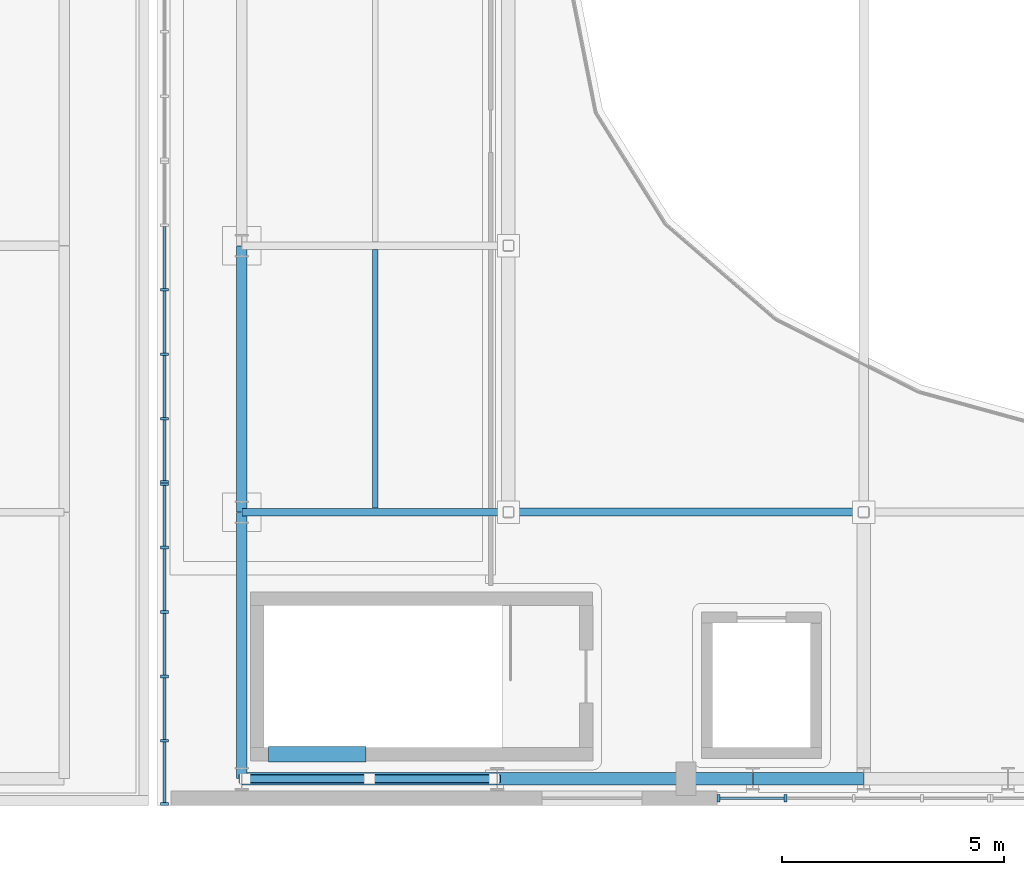
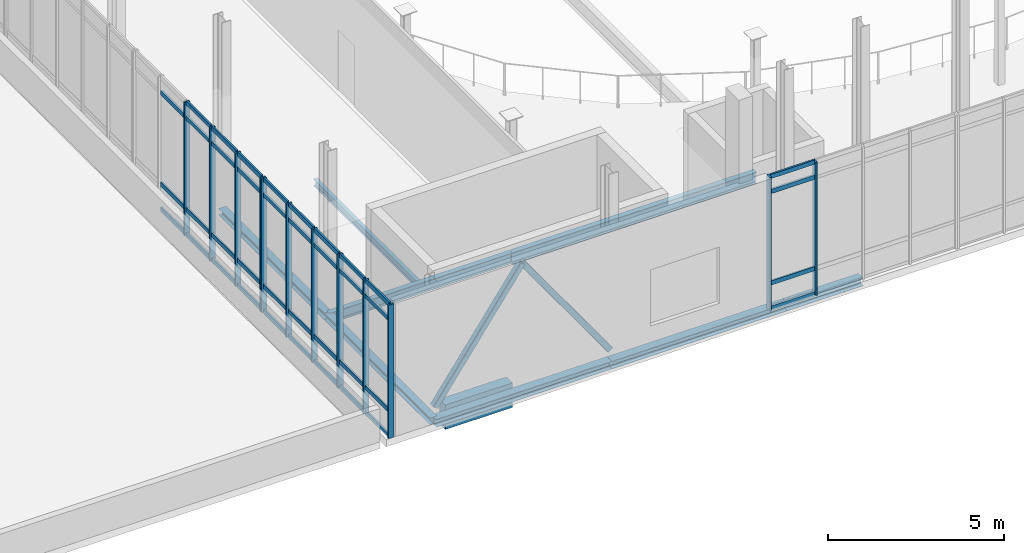
# One storey, part 13 of 86: 53 members, 9 beams, 3 elements without a shape of their own.
"""IFC4 building model written with IfcOpenShell, lengths in metres."""

from ifc_helpers import new_model, si_unit, direction, frame, origin, origin_2d, place, context, subcontext, project, spatial, rectangle, hollow_rectangle, i_section, extrude, material, material_profile, profile_set, type_object, element, aggregate, save


model = new_model("IFC4")

# Units and contexts
model_context = context("Model", 3, precision=1e-05, world=origin(), true_north=direction((0.0, 1.0)))
body_context = subcontext(model_context, "Body", "Model", "MODEL_VIEW")
ifc_project = project(units=[si_unit("LENGTHUNIT", "METRE"), si_unit("AREAUNIT", "SQUARE_METRE"), si_unit("VOLUMEUNIT", "CUBIC_METRE"), si_unit("PLANEANGLEUNIT", "RADIAN"), si_unit("MASSUNIT", "GRAM", prefix="KILO")], contexts=[model_context])

# Site, building, storey
site_placement = place(None, origin())
site = spatial("IfcSite", under=ifc_project, at=site_placement, CompositionType="ELEMENT")
building_placement = place(site_placement, origin())
building = spatial("IfcBuilding", under=site, at=building_placement, Name="Cymarion Research Institute", CompositionType="ELEMENT")
storey_placement = place(building_placement, frame((0.0, 0.0, 13.800048828125)))
storey = spatial("IfcBuildingStorey", under=building, at=storey_placement, Name="L03", CompositionType="ELEMENT", Elevation=13.800048828125)

# Beam
ifc_material_1 = material(Name="Concrete C40/50", Category="concrete")
ifc_material_profile_1 = material_profile(ifc_material_1, rectangle(XDim=0.35009765625, YDim=0.85009765625, at=origin_2d()), Name="RC 350x850")
ifc_profile_set_1 = profile_set([ifc_material_profile_1], Name="Concrete C40/50")
beam_type_1 = type_object("IfcBeamType", Name="COUPLING LINTEL LN02 RC 350x850", PredefinedType="LINTEL", material=ifc_profile_set_1)
beam_1_placement = place(storey_placement, frame((57.199951171875, 6.050048828125, -0.695068359375), z_axis=(1.0, 0.0, 0.0), x_axis=(0.0, 1.0, 0.0)))
element("IfcBeam", 1, at=beam_1_placement, inside=storey, type_object=beam_type_1, Name="L03 C3 core coupling lintel LN02", PredefinedType="LINTEL", context=body_context, shape_type="SweptSolid", body=[
    extrude(rectangle(XDim=0.35009765625, YDim=0.85009765625, at=origin_2d()), origin(), (0.0, 0.0, 1.0), 2.199951171875),
])

# Curtain wall, members
ifc_material_2 = material(Name="Anodised aluminium unitised curtain wall with Low-E glazing", Category="aluminium")
curtain_wall_type_1 = type_object("IfcCurtainWallType", Name="UNITISED CURTAIN WALL CW27 6150X4620", PredefinedType="NOTDEFINED", material=ifc_material_2)
curtain_wall_1_placement = place(storey_placement, origin())
curtain_wall_1 = element("IfcCurtainWall", 2, at=curtain_wall_1_placement, inside=storey, type_object=curtain_wall_type_1, Name="L03 V2 unitised curtain wall CW27 #131", PredefinedType="NOTDEFINED")
ifc_material_3 = material(Name="Anodised aluminium framing", Category="aluminium")
ifc_material_profile_2 = material_profile(ifc_material_3, rectangle(XDim=0.06005859375, YDim=0.179931640625, at=origin_2d()), Name="ALU MULLION 60x180")
ifc_profile_set_2 = profile_set([ifc_material_profile_2], Name="Anodised aluminium framing")
member_type_1 = type_object("IfcMemberType", Name="CURTAIN WALL MULLION ML01 60X180", PredefinedType="MULLION", material=ifc_profile_set_2)
member_1_placement = place(storey_placement, frame((67.3310546875, 5.06005859375, 0.0), z_axis=(0.0, 0.0, 1.0), x_axis=(1.0, 0.0, 0.0)))
member_1 = element("IfcMember", 3, at=member_1_placement, type_object=member_type_1, Name="CW27 mullion 1", PredefinedType="MULLION", context=body_context, shape_type="SweptSolid", body=[
    extrude(rectangle(XDim=0.06005859375, YDim=0.179931640625, at=origin_2d()), origin(), (0.0, 0.0, 1.0), 4.619873046875),
])
member_2_placement = place(storey_placement, frame((68.83837890625, 5.06005859375, 0.0), z_axis=(0.0, 0.0, 1.0), x_axis=(1.0, 0.0, 0.0)))
member_2 = element("IfcMember", 4, at=member_2_placement, type_object=member_type_1, Name="CW27 mullion 2", PredefinedType="MULLION", context=body_context, shape_type="SweptSolid", body=[
    extrude(rectangle(XDim=0.06005859375, YDim=0.179931640625, at=origin_2d()), origin(), (0.0, 0.0, 1.0), 4.619873046875),
])

curtain_wall_type_2 = type_object("IfcCurtainWallType", Name="UNITISED CURTAIN WALL CW34 7260X4620", PredefinedType="NOTDEFINED", material=ifc_material_2)
curtain_wall_2_placement = place(storey_placement, origin())
curtain_wall_2 = element("IfcCurtainWall", 5, at=curtain_wall_2_placement, inside=storey, type_object=curtain_wall_type_2, Name="L03 V2 unitised curtain wall CW34 #150", PredefinedType="NOTDEFINED")
member_3_placement = place(storey_placement, frame((54.860107421875, 16.509521484375, 0.0), z_axis=(0.0, 0.0, 1.0), x_axis=(0.0, -1.0, 0.0)))
member_3 = element("IfcMember", 6, at=member_3_placement, type_object=member_type_1, Name="CW34 mullion 3", PredefinedType="MULLION", context=body_context, shape_type="SweptSolid", body=[
    extrude(rectangle(XDim=0.06005859375, YDim=0.179931640625, at=origin_2d()), origin(), (0.0, 0.0, 1.0), 4.619873046875),
])
member_4_placement = place(storey_placement, frame((54.860107421875, 15.058349609375, 0.0), z_axis=(0.0, 0.0, 1.0), x_axis=(0.0, -1.0, 0.0)))
member_4 = element("IfcMember", 7, at=member_4_placement, type_object=member_type_1, Name="CW34 mullion 4", PredefinedType="MULLION", context=body_context, shape_type="SweptSolid", body=[
    extrude(rectangle(XDim=0.06005859375, YDim=0.179931640625, at=origin_2d()), origin(), (0.0, 0.0, 1.0), 4.619873046875),
])
member_5_placement = place(storey_placement, frame((54.860107421875, 13.607177734375, 0.0), z_axis=(0.0, 0.0, 1.0), x_axis=(0.0, -1.0, 0.0)))
member_5 = element("IfcMember", 8, at=member_5_placement, type_object=member_type_1, Name="CW34 mullion 5", PredefinedType="MULLION", context=body_context, shape_type="SweptSolid", body=[
    extrude(rectangle(XDim=0.06005859375, YDim=0.179931640625, at=origin_2d()), origin(), (0.0, 0.0, 1.0), 4.619873046875),
])
member_6_placement = place(storey_placement, frame((54.860107421875, 12.18603515625, 0.0), z_axis=(0.0, 0.0, 1.0), x_axis=(0.0, -1.0, 0.0)))
member_6 = element("IfcMember", 9, at=member_6_placement, type_object=member_type_1, Name="CW34 mullion 6", PredefinedType="MULLION", context=body_context, shape_type="SweptSolid", body=[
    extrude(rectangle(XDim=0.06005859375, YDim=0.179931640625, at=origin_2d()), origin(), (0.0, 0.0, 1.0), 4.619873046875),
])

curtain_wall_3_placement = place(storey_placement, origin())
curtain_wall_3 = element("IfcCurtainWall", 10, at=curtain_wall_3_placement, inside=storey, type_object=curtain_wall_type_2, Name="L03 V2 unitised curtain wall CW34 #151", PredefinedType="NOTDEFINED")
member_7_placement = place(storey_placement, frame((54.860107421875, 12.1259765625, 0.0), z_axis=(0.0, 0.0, 1.0), x_axis=(0.0, -1.0, 0.0)))
member_7 = element("IfcMember", 11, at=member_7_placement, type_object=member_type_1, Name="CW34 mullion 1", PredefinedType="MULLION", context=body_context, shape_type="SweptSolid", body=[
    extrude(rectangle(XDim=0.06005859375, YDim=0.179931640625, at=origin_2d()), origin(), (0.0, 0.0, 1.0), 4.619873046875),
])
member_8_placement = place(storey_placement, frame((54.860107421875, 10.704833984375, 0.0), z_axis=(0.0, 0.0, 1.0), x_axis=(0.0, -1.0, 0.0)))
member_8 = element("IfcMember", 12, at=member_8_placement, type_object=member_type_1, Name="CW34 mullion 2", PredefinedType="MULLION", context=body_context, shape_type="SweptSolid", body=[
    extrude(rectangle(XDim=0.06005859375, YDim=0.179931640625, at=origin_2d()), origin(), (0.0, 0.0, 1.0), 4.619873046875),
])
member_9_placement = place(storey_placement, frame((54.860107421875, 9.253662109375, 0.0), z_axis=(0.0, 0.0, 1.0), x_axis=(0.0, -1.0, 0.0)))
member_9 = element("IfcMember", 13, at=member_9_placement, type_object=member_type_1, Name="CW34 mullion 3", PredefinedType="MULLION", context=body_context, shape_type="SweptSolid", body=[
    extrude(rectangle(XDim=0.06005859375, YDim=0.179931640625, at=origin_2d()), origin(), (0.0, 0.0, 1.0), 4.619873046875),
])
member_10_placement = place(storey_placement, frame((54.860107421875, 7.802490234375, 0.0), z_axis=(0.0, 0.0, 1.0), x_axis=(0.0, -1.0, 0.0)))
member_10 = element("IfcMember", 14, at=member_10_placement, type_object=member_type_1, Name="CW34 mullion 4", PredefinedType="MULLION", context=body_context, shape_type="SweptSolid", body=[
    extrude(rectangle(XDim=0.06005859375, YDim=0.179931640625, at=origin_2d()), origin(), (0.0, 0.0, 1.0), 4.619873046875),
])
member_11_placement = place(storey_placement, frame((54.860107421875, 6.351318359375, 0.0), z_axis=(0.0, 0.0, 1.0), x_axis=(0.0, -1.0, 0.0)))
member_11 = element("IfcMember", 15, at=member_11_placement, type_object=member_type_1, Name="CW34 mullion 5", PredefinedType="MULLION", context=body_context, shape_type="SweptSolid", body=[
    extrude(rectangle(XDim=0.06005859375, YDim=0.179931640625, at=origin_2d()), origin(), (0.0, 0.0, 1.0), 4.619873046875),
])
member_12_placement = place(storey_placement, frame((54.860107421875, 4.929931640625, 0.0), z_axis=(0.0, 0.0, 1.0), x_axis=(0.0, -1.0, 0.0)))
member_12 = element("IfcMember", 16, at=member_12_placement, type_object=member_type_1, Name="CW34 mullion 6", PredefinedType="MULLION", context=body_context, shape_type="SweptSolid", body=[
    extrude(rectangle(XDim=0.06005859375, YDim=0.179931640625, at=origin_2d()), origin(), (0.0, 0.0, 1.0), 4.619873046875),
])

# Member
ifc_material_profile_3 = material_profile(ifc_material_3, rectangle(XDim=0.06005859375, YDim=0.14990234375, at=origin_2d()), Name="ALU TRANSOM 60x150")
ifc_profile_set_3 = profile_set([ifc_material_profile_3], Name="Anodised aluminium framing")
member_type_2 = type_object("IfcMemberType", Name="CURTAIN WALL TRANSOM TR01 60X150", PredefinedType="USERDEFINED", material=ifc_profile_set_3)
member_13_placement = place(storey_placement, frame((67.361083984375, 5.06005859375, 0.030029296875), z_axis=(1.0, 0.0, 0.0), x_axis=(0.0, 1.0, 0.0)))
member_13 = element("IfcMember", 17, at=member_13_placement, type_object=member_type_2, Name="CW27 transom 1.1", ObjectType="TRANSOM", PredefinedType="USERDEFINED", context=body_context, shape_type="SweptSolid", body=[
    extrude(rectangle(XDim=0.06005859375, YDim=0.14990234375, at=origin_2d()), origin(), (0.0, 0.0, 1.0), 1.447265625),
])

member_14_placement = place(storey_placement, frame((67.361083984375, 5.06005859375, 0.89990234375), z_axis=(1.0, 0.0, 0.0), x_axis=(0.0, 1.0, 0.0)))
member_14 = element("IfcMember", 18, at=member_14_placement, type_object=member_type_2, Name="CW27 transom 1.2", ObjectType="TRANSOM", PredefinedType="USERDEFINED", context=body_context, shape_type="SweptSolid", body=[
    extrude(rectangle(XDim=0.06005859375, YDim=0.14990234375, at=origin_2d()), origin(), (0.0, 0.0, 1.0), 1.447265625),
])

member_15_placement = place(storey_placement, frame((67.361083984375, 5.06005859375, 4.070068359375), z_axis=(1.0, 0.0, 0.0), x_axis=(0.0, 1.0, 0.0)))
member_15 = element("IfcMember", 19, at=member_15_placement, type_object=member_type_2, Name="CW27 transom 1.3", ObjectType="TRANSOM", PredefinedType="USERDEFINED", context=body_context, shape_type="SweptSolid", body=[
    extrude(rectangle(XDim=0.06005859375, YDim=0.14990234375, at=origin_2d()), origin(), (0.0, 0.0, 1.0), 1.447265625),
])

member_16_placement = place(storey_placement, frame((67.361083984375, 5.06005859375, 4.58984375), z_axis=(1.0, 0.0, 0.0), x_axis=(0.0, 1.0, 0.0)))
member_16 = element("IfcMember", 20, at=member_16_placement, type_object=member_type_2, Name="CW27 transom 1.4", ObjectType="TRANSOM", PredefinedType="USERDEFINED", context=body_context, shape_type="SweptSolid", body=[
    extrude(rectangle(XDim=0.06005859375, YDim=0.14990234375, at=origin_2d()), origin(), (0.0, 0.0, 1.0), 1.447265625),
])

aggregate(curtain_wall_1, [member_1, member_2, member_13, member_14, member_15, member_16])

member_17_placement = place(storey_placement, frame((54.860107421875, 17.930908203125, 0.030029296875), z_axis=(0.0, -1.0, 0.0), x_axis=(1.0, 0.0, 0.0)))
member_17 = element("IfcMember", 21, at=member_17_placement, type_object=member_type_2, Name="CW34 transom 2.1", ObjectType="TRANSOM", PredefinedType="USERDEFINED", context=body_context, shape_type="SweptSolid", body=[
    extrude(rectangle(XDim=0.06005859375, YDim=0.14990234375, at=origin_2d()), origin(), (0.0, 0.0, 1.0), 1.391357421875),
])

member_18_placement = place(storey_placement, frame((54.860107421875, 17.930908203125, 0.89990234375), z_axis=(0.0, -1.0, 0.0), x_axis=(1.0, 0.0, 0.0)))
member_18 = element("IfcMember", 22, at=member_18_placement, type_object=member_type_2, Name="CW34 transom 2.2", ObjectType="TRANSOM", PredefinedType="USERDEFINED", context=body_context, shape_type="SweptSolid", body=[
    extrude(rectangle(XDim=0.06005859375, YDim=0.14990234375, at=origin_2d()), origin(), (0.0, 0.0, 1.0), 1.391357421875),
])

member_19_placement = place(storey_placement, frame((54.860107421875, 17.930908203125, 4.070068359375), z_axis=(0.0, -1.0, 0.0), x_axis=(1.0, 0.0, 0.0)))
member_19 = element("IfcMember", 23, at=member_19_placement, type_object=member_type_2, Name="CW34 transom 2.3", ObjectType="TRANSOM", PredefinedType="USERDEFINED", context=body_context, shape_type="SweptSolid", body=[
    extrude(rectangle(XDim=0.06005859375, YDim=0.14990234375, at=origin_2d()), origin(), (0.0, 0.0, 1.0), 1.391357421875),
])

member_20_placement = place(storey_placement, frame((54.860107421875, 16.4794921875, 0.030029296875), z_axis=(0.0, -1.0, 0.0), x_axis=(1.0, 0.0, 0.0)))
member_20 = element("IfcMember", 24, at=member_20_placement, type_object=member_type_2, Name="CW34 transom 3.1", ObjectType="TRANSOM", PredefinedType="USERDEFINED", context=body_context, shape_type="SweptSolid", body=[
    extrude(rectangle(XDim=0.06005859375, YDim=0.14990234375, at=origin_2d()), origin(), (0.0, 0.0, 1.0), 1.39111328125),
])

member_21_placement = place(storey_placement, frame((54.860107421875, 16.4794921875, 0.89990234375), z_axis=(0.0, -1.0, 0.0), x_axis=(1.0, 0.0, 0.0)))
member_21 = element("IfcMember", 25, at=member_21_placement, type_object=member_type_2, Name="CW34 transom 3.2", ObjectType="TRANSOM", PredefinedType="USERDEFINED", context=body_context, shape_type="SweptSolid", body=[
    extrude(rectangle(XDim=0.06005859375, YDim=0.14990234375, at=origin_2d()), origin(), (0.0, 0.0, 1.0), 1.39111328125),
])

member_22_placement = place(storey_placement, frame((54.860107421875, 16.4794921875, 4.070068359375), z_axis=(0.0, -1.0, 0.0), x_axis=(1.0, 0.0, 0.0)))
member_22 = element("IfcMember", 26, at=member_22_placement, type_object=member_type_2, Name="CW34 transom 3.3", ObjectType="TRANSOM", PredefinedType="USERDEFINED", context=body_context, shape_type="SweptSolid", body=[
    extrude(rectangle(XDim=0.06005859375, YDim=0.14990234375, at=origin_2d()), origin(), (0.0, 0.0, 1.0), 1.39111328125),
])

member_23_placement = place(storey_placement, frame((54.860107421875, 16.4794921875, 4.58984375), z_axis=(0.0, -1.0, 0.0), x_axis=(1.0, 0.0, 0.0)))
member_23 = element("IfcMember", 27, at=member_23_placement, type_object=member_type_2, Name="CW34 transom 3.4", ObjectType="TRANSOM", PredefinedType="USERDEFINED", context=body_context, shape_type="SweptSolid", body=[
    extrude(rectangle(XDim=0.06005859375, YDim=0.14990234375, at=origin_2d()), origin(), (0.0, 0.0, 1.0), 1.39111328125),
])

member_24_placement = place(storey_placement, frame((54.860107421875, 15.0283203125, 0.030029296875), z_axis=(0.0, -1.0, 0.0), x_axis=(1.0, 0.0, 0.0)))
member_24 = element("IfcMember", 28, at=member_24_placement, type_object=member_type_2, Name="CW34 transom 4.1", ObjectType="TRANSOM", PredefinedType="USERDEFINED", context=body_context, shape_type="SweptSolid", body=[
    extrude(rectangle(XDim=0.06005859375, YDim=0.14990234375, at=origin_2d()), origin(), (0.0, 0.0, 1.0), 1.39111328125),
])

member_25_placement = place(storey_placement, frame((54.860107421875, 15.0283203125, 0.89990234375), z_axis=(0.0, -1.0, 0.0), x_axis=(1.0, 0.0, 0.0)))
member_25 = element("IfcMember", 29, at=member_25_placement, type_object=member_type_2, Name="CW34 transom 4.2", ObjectType="TRANSOM", PredefinedType="USERDEFINED", context=body_context, shape_type="SweptSolid", body=[
    extrude(rectangle(XDim=0.06005859375, YDim=0.14990234375, at=origin_2d()), origin(), (0.0, 0.0, 1.0), 1.39111328125),
])

member_26_placement = place(storey_placement, frame((54.860107421875, 15.0283203125, 4.070068359375), z_axis=(0.0, -1.0, 0.0), x_axis=(1.0, 0.0, 0.0)))
member_26 = element("IfcMember", 30, at=member_26_placement, type_object=member_type_2, Name="CW34 transom 4.3", ObjectType="TRANSOM", PredefinedType="USERDEFINED", context=body_context, shape_type="SweptSolid", body=[
    extrude(rectangle(XDim=0.06005859375, YDim=0.14990234375, at=origin_2d()), origin(), (0.0, 0.0, 1.0), 1.39111328125),
])

member_27_placement = place(storey_placement, frame((54.860107421875, 15.0283203125, 4.58984375), z_axis=(0.0, -1.0, 0.0), x_axis=(1.0, 0.0, 0.0)))
member_27 = element("IfcMember", 31, at=member_27_placement, type_object=member_type_2, Name="CW34 transom 4.4", ObjectType="TRANSOM", PredefinedType="USERDEFINED", context=body_context, shape_type="SweptSolid", body=[
    extrude(rectangle(XDim=0.06005859375, YDim=0.14990234375, at=origin_2d()), origin(), (0.0, 0.0, 1.0), 1.39111328125),
])

member_28_placement = place(storey_placement, frame((54.860107421875, 13.5771484375, 0.030029296875), z_axis=(0.0, -1.0, 0.0), x_axis=(1.0, 0.0, 0.0)))
member_28 = element("IfcMember", 32, at=member_28_placement, type_object=member_type_2, Name="CW34 transom 5.1", ObjectType="TRANSOM", PredefinedType="USERDEFINED", context=body_context, shape_type="SweptSolid", body=[
    extrude(rectangle(XDim=0.06005859375, YDim=0.14990234375, at=origin_2d()), origin(), (0.0, 0.0, 1.0), 1.361083984375),
])

member_29_placement = place(storey_placement, frame((54.860107421875, 13.5771484375, 0.89990234375), z_axis=(0.0, -1.0, 0.0), x_axis=(1.0, 0.0, 0.0)))
member_29 = element("IfcMember", 33, at=member_29_placement, type_object=member_type_2, Name="CW34 transom 5.2", ObjectType="TRANSOM", PredefinedType="USERDEFINED", context=body_context, shape_type="SweptSolid", body=[
    extrude(rectangle(XDim=0.06005859375, YDim=0.14990234375, at=origin_2d()), origin(), (0.0, 0.0, 1.0), 1.361083984375),
])

member_30_placement = place(storey_placement, frame((54.860107421875, 13.5771484375, 4.070068359375), z_axis=(0.0, -1.0, 0.0), x_axis=(1.0, 0.0, 0.0)))
member_30 = element("IfcMember", 34, at=member_30_placement, type_object=member_type_2, Name="CW34 transom 5.3", ObjectType="TRANSOM", PredefinedType="USERDEFINED", context=body_context, shape_type="SweptSolid", body=[
    extrude(rectangle(XDim=0.06005859375, YDim=0.14990234375, at=origin_2d()), origin(), (0.0, 0.0, 1.0), 1.361083984375),
])

member_31_placement = place(storey_placement, frame((54.860107421875, 13.5771484375, 4.58984375), z_axis=(0.0, -1.0, 0.0), x_axis=(1.0, 0.0, 0.0)))
member_31 = element("IfcMember", 35, at=member_31_placement, type_object=member_type_2, Name="CW34 transom 5.4", ObjectType="TRANSOM", PredefinedType="USERDEFINED", context=body_context, shape_type="SweptSolid", body=[
    extrude(rectangle(XDim=0.06005859375, YDim=0.14990234375, at=origin_2d()), origin(), (0.0, 0.0, 1.0), 1.361083984375),
])

aggregate(curtain_wall_2, [member_3, member_4, member_5, member_6, member_17, member_18, member_19, member_20, member_21, member_22, member_23, member_24, member_25, member_26, member_27, member_28, member_29, member_30, member_31])

member_32_placement = place(storey_placement, frame((54.860107421875, 12.095947265625, 0.030029296875), z_axis=(0.0, -1.0, 0.0), x_axis=(1.0, 0.0, 0.0)))
member_32 = element("IfcMember", 36, at=member_32_placement, type_object=member_type_2, Name="CW34 transom 1.1", ObjectType="TRANSOM", PredefinedType="USERDEFINED", context=body_context, shape_type="SweptSolid", body=[
    extrude(rectangle(XDim=0.06005859375, YDim=0.14990234375, at=origin_2d()), origin(), (0.0, 0.0, 1.0), 1.361083984375),
])

member_33_placement = place(storey_placement, frame((54.860107421875, 12.095947265625, 0.89990234375), z_axis=(0.0, -1.0, 0.0), x_axis=(1.0, 0.0, 0.0)))
member_33 = element("IfcMember", 37, at=member_33_placement, type_object=member_type_2, Name="CW34 transom 1.2", ObjectType="TRANSOM", PredefinedType="USERDEFINED", context=body_context, shape_type="SweptSolid", body=[
    extrude(rectangle(XDim=0.06005859375, YDim=0.14990234375, at=origin_2d()), origin(), (0.0, 0.0, 1.0), 1.361083984375),
])

member_34_placement = place(storey_placement, frame((54.860107421875, 12.095947265625, 4.070068359375), z_axis=(0.0, -1.0, 0.0), x_axis=(1.0, 0.0, 0.0)))
member_34 = element("IfcMember", 38, at=member_34_placement, type_object=member_type_2, Name="CW34 transom 1.3", ObjectType="TRANSOM", PredefinedType="USERDEFINED", context=body_context, shape_type="SweptSolid", body=[
    extrude(rectangle(XDim=0.06005859375, YDim=0.14990234375, at=origin_2d()), origin(), (0.0, 0.0, 1.0), 1.361083984375),
])

member_35_placement = place(storey_placement, frame((54.860107421875, 12.095947265625, 4.58984375), z_axis=(0.0, -1.0, 0.0), x_axis=(1.0, 0.0, 0.0)))
member_35 = element("IfcMember", 39, at=member_35_placement, type_object=member_type_2, Name="CW34 transom 1.4", ObjectType="TRANSOM", PredefinedType="USERDEFINED", context=body_context, shape_type="SweptSolid", body=[
    extrude(rectangle(XDim=0.06005859375, YDim=0.14990234375, at=origin_2d()), origin(), (0.0, 0.0, 1.0), 1.361083984375),
])

member_36_placement = place(storey_placement, frame((54.860107421875, 10.6748046875, 0.030029296875), z_axis=(0.0, -1.0, 0.0), x_axis=(1.0, 0.0, 0.0)))
member_36 = element("IfcMember", 40, at=member_36_placement, type_object=member_type_2, Name="CW34 transom 2.1", ObjectType="TRANSOM", PredefinedType="USERDEFINED", context=body_context, shape_type="SweptSolid", body=[
    extrude(rectangle(XDim=0.06005859375, YDim=0.14990234375, at=origin_2d()), origin(), (0.0, 0.0, 1.0), 1.39111328125),
])

member_37_placement = place(storey_placement, frame((54.860107421875, 10.6748046875, 0.89990234375), z_axis=(0.0, -1.0, 0.0), x_axis=(1.0, 0.0, 0.0)))
member_37 = element("IfcMember", 41, at=member_37_placement, type_object=member_type_2, Name="CW34 transom 2.2", ObjectType="TRANSOM", PredefinedType="USERDEFINED", context=body_context, shape_type="SweptSolid", body=[
    extrude(rectangle(XDim=0.06005859375, YDim=0.14990234375, at=origin_2d()), origin(), (0.0, 0.0, 1.0), 1.39111328125),
])

member_38_placement = place(storey_placement, frame((54.860107421875, 10.6748046875, 4.070068359375), z_axis=(0.0, -1.0, 0.0), x_axis=(1.0, 0.0, 0.0)))
member_38 = element("IfcMember", 42, at=member_38_placement, type_object=member_type_2, Name="CW34 transom 2.3", ObjectType="TRANSOM", PredefinedType="USERDEFINED", context=body_context, shape_type="SweptSolid", body=[
    extrude(rectangle(XDim=0.06005859375, YDim=0.14990234375, at=origin_2d()), origin(), (0.0, 0.0, 1.0), 1.39111328125),
])

member_39_placement = place(storey_placement, frame((54.860107421875, 10.6748046875, 4.58984375), z_axis=(0.0, -1.0, 0.0), x_axis=(1.0, 0.0, 0.0)))
member_39 = element("IfcMember", 43, at=member_39_placement, type_object=member_type_2, Name="CW34 transom 2.4", ObjectType="TRANSOM", PredefinedType="USERDEFINED", context=body_context, shape_type="SweptSolid", body=[
    extrude(rectangle(XDim=0.06005859375, YDim=0.14990234375, at=origin_2d()), origin(), (0.0, 0.0, 1.0), 1.39111328125),
])

member_40_placement = place(storey_placement, frame((54.860107421875, 9.2236328125, 0.030029296875), z_axis=(0.0, -1.0, 0.0), x_axis=(1.0, 0.0, 0.0)))
member_40 = element("IfcMember", 44, at=member_40_placement, type_object=member_type_2, Name="CW34 transom 3.1", ObjectType="TRANSOM", PredefinedType="USERDEFINED", context=body_context, shape_type="SweptSolid", body=[
    extrude(rectangle(XDim=0.06005859375, YDim=0.14990234375, at=origin_2d()), origin(), (0.0, 0.0, 1.0), 1.39111328125),
])

member_41_placement = place(storey_placement, frame((54.860107421875, 9.2236328125, 0.89990234375), z_axis=(0.0, -1.0, 0.0), x_axis=(1.0, 0.0, 0.0)))
member_41 = element("IfcMember", 45, at=member_41_placement, type_object=member_type_2, Name="CW34 transom 3.2", ObjectType="TRANSOM", PredefinedType="USERDEFINED", context=body_context, shape_type="SweptSolid", body=[
    extrude(rectangle(XDim=0.06005859375, YDim=0.14990234375, at=origin_2d()), origin(), (0.0, 0.0, 1.0), 1.39111328125),
])

member_42_placement = place(storey_placement, frame((54.860107421875, 9.2236328125, 4.070068359375), z_axis=(0.0, -1.0, 0.0), x_axis=(1.0, 0.0, 0.0)))
member_42 = element("IfcMember", 46, at=member_42_placement, type_object=member_type_2, Name="CW34 transom 3.3", ObjectType="TRANSOM", PredefinedType="USERDEFINED", context=body_context, shape_type="SweptSolid", body=[
    extrude(rectangle(XDim=0.06005859375, YDim=0.14990234375, at=origin_2d()), origin(), (0.0, 0.0, 1.0), 1.39111328125),
])

member_43_placement = place(storey_placement, frame((54.860107421875, 9.2236328125, 4.58984375), z_axis=(0.0, -1.0, 0.0), x_axis=(1.0, 0.0, 0.0)))
member_43 = element("IfcMember", 47, at=member_43_placement, type_object=member_type_2, Name="CW34 transom 3.4", ObjectType="TRANSOM", PredefinedType="USERDEFINED", context=body_context, shape_type="SweptSolid", body=[
    extrude(rectangle(XDim=0.06005859375, YDim=0.14990234375, at=origin_2d()), origin(), (0.0, 0.0, 1.0), 1.39111328125),
])

member_44_placement = place(storey_placement, frame((54.860107421875, 7.7724609375, 0.030029296875), z_axis=(0.0, -1.0, 0.0), x_axis=(1.0, 0.0, 0.0)))
member_44 = element("IfcMember", 48, at=member_44_placement, type_object=member_type_2, Name="CW34 transom 4.1", ObjectType="TRANSOM", PredefinedType="USERDEFINED", context=body_context, shape_type="SweptSolid", body=[
    extrude(rectangle(XDim=0.06005859375, YDim=0.14990234375, at=origin_2d()), origin(), (0.0, 0.0, 1.0), 1.391357421875),
])

member_45_placement = place(storey_placement, frame((54.860107421875, 7.7724609375, 0.89990234375), z_axis=(0.0, -1.0, 0.0), x_axis=(1.0, 0.0, 0.0)))
member_45 = element("IfcMember", 49, at=member_45_placement, type_object=member_type_2, Name="CW34 transom 4.2", ObjectType="TRANSOM", PredefinedType="USERDEFINED", context=body_context, shape_type="SweptSolid", body=[
    extrude(rectangle(XDim=0.06005859375, YDim=0.14990234375, at=origin_2d()), origin(), (0.0, 0.0, 1.0), 1.391357421875),
])

member_46_placement = place(storey_placement, frame((54.860107421875, 7.7724609375, 4.070068359375), z_axis=(0.0, -1.0, 0.0), x_axis=(1.0, 0.0, 0.0)))
member_46 = element("IfcMember", 50, at=member_46_placement, type_object=member_type_2, Name="CW34 transom 4.3", ObjectType="TRANSOM", PredefinedType="USERDEFINED", context=body_context, shape_type="SweptSolid", body=[
    extrude(rectangle(XDim=0.06005859375, YDim=0.14990234375, at=origin_2d()), origin(), (0.0, 0.0, 1.0), 1.391357421875),
])

member_47_placement = place(storey_placement, frame((54.860107421875, 7.7724609375, 4.58984375), z_axis=(0.0, -1.0, 0.0), x_axis=(1.0, 0.0, 0.0)))
member_47 = element("IfcMember", 51, at=member_47_placement, type_object=member_type_2, Name="CW34 transom 4.4", ObjectType="TRANSOM", PredefinedType="USERDEFINED", context=body_context, shape_type="SweptSolid", body=[
    extrude(rectangle(XDim=0.06005859375, YDim=0.14990234375, at=origin_2d()), origin(), (0.0, 0.0, 1.0), 1.391357421875),
])

member_48_placement = place(storey_placement, frame((54.860107421875, 6.3212890625, 0.030029296875), z_axis=(0.0, -1.0, 0.0), x_axis=(1.0, 0.0, 0.0)))
member_48 = element("IfcMember", 52, at=member_48_placement, type_object=member_type_2, Name="CW34 transom 5.1", ObjectType="TRANSOM", PredefinedType="USERDEFINED", context=body_context, shape_type="SweptSolid", body=[
    extrude(rectangle(XDim=0.06005859375, YDim=0.14990234375, at=origin_2d()), origin(), (0.0, 0.0, 1.0), 1.361328125),
])

member_49_placement = place(storey_placement, frame((54.860107421875, 6.3212890625, 0.89990234375), z_axis=(0.0, -1.0, 0.0), x_axis=(1.0, 0.0, 0.0)))
member_49 = element("IfcMember", 53, at=member_49_placement, type_object=member_type_2, Name="CW34 transom 5.2", ObjectType="TRANSOM", PredefinedType="USERDEFINED", context=body_context, shape_type="SweptSolid", body=[
    extrude(rectangle(XDim=0.06005859375, YDim=0.14990234375, at=origin_2d()), origin(), (0.0, 0.0, 1.0), 1.361328125),
])

member_50_placement = place(storey_placement, frame((54.860107421875, 6.3212890625, 4.070068359375), z_axis=(0.0, -1.0, 0.0), x_axis=(1.0, 0.0, 0.0)))
member_50 = element("IfcMember", 54, at=member_50_placement, type_object=member_type_2, Name="CW34 transom 5.3", ObjectType="TRANSOM", PredefinedType="USERDEFINED", context=body_context, shape_type="SweptSolid", body=[
    extrude(rectangle(XDim=0.06005859375, YDim=0.14990234375, at=origin_2d()), origin(), (0.0, 0.0, 1.0), 1.361328125),
])

member_51_placement = place(storey_placement, frame((54.860107421875, 6.3212890625, 4.58984375), z_axis=(0.0, -1.0, 0.0), x_axis=(1.0, 0.0, 0.0)))
member_51 = element("IfcMember", 55, at=member_51_placement, type_object=member_type_2, Name="CW34 transom 5.4", ObjectType="TRANSOM", PredefinedType="USERDEFINED", context=body_context, shape_type="SweptSolid", body=[
    extrude(rectangle(XDim=0.06005859375, YDim=0.14990234375, at=origin_2d()), origin(), (0.0, 0.0, 1.0), 1.361328125),
])

aggregate(curtain_wall_3, [member_7, member_8, member_9, member_10, member_11, member_12, member_32, member_33, member_34, member_35, member_36, member_37, member_38, member_39, member_40, member_41, member_42, member_43, member_44, member_45, member_46, member_47, member_48, member_49, member_50, member_51])

# Beams
ifc_material_4 = material(Name="Steel S355", Category="steel")
ifc_material_profile_4 = material_profile(ifc_material_4, i_section(OverallWidth=0.179931640625, OverallDepth=0.39990234375, WebThickness=0.008544921875, FlangeThickness=0.013427734375, FilletRadius=0.02099609375, at=origin_2d()), Name="IPE 400")
ifc_profile_set_4 = profile_set([ifc_material_profile_4], Name="Steel S355")
beam_type_2 = type_object("IfcBeamType", Name="PRIMARY GIRDER BM05 IPE 400", PredefinedType="BEAM", material=ifc_profile_set_4)
beam_2_placement = place(storey_placement, frame((62.60595703125, 11.5, -0.449951171875), z_axis=(1.0, 0.0, 0.0), x_axis=(0.0, 1.0, 0.0)))
element("IfcBeam", 56, at=beam_2_placement, inside=storey, type_object=beam_type_2, Name="L03 V2 girder BM05 #1289", PredefinedType="BEAM", context=body_context, shape_type="SweptSolid", body=[
    extrude(i_section(OverallWidth=0.179931640625, OverallDepth=0.39990234375, WebThickness=0.008544921875, FlangeThickness=0.013427734375, FilletRadius=0.02099609375, at=origin_2d()), origin(), (0.0, 0.0, 1.0), 7.988037109375),
])
ifc_material_profile_5 = material_profile(ifc_material_4, i_section(OverallWidth=0.169921875, OverallDepth=0.360107421875, WebThickness=0.008056640625, FlangeThickness=0.0126953125, FilletRadius=0.01806640625, at=origin_2d()), Name="IPE 360")
ifc_profile_set_5 = profile_set([ifc_material_profile_5], Name="Steel S355")
beam_type_3 = type_object("IfcBeamType", Name="PRIMARY GIRDER BM06 IPE 360", PredefinedType="BEAM", material=ifc_profile_set_5)
beam_3_placement = place(storey_placement, frame((56.60595703125, 11.5, -0.429931640625), z_axis=(1.0, 0.0, 0.0), x_axis=(0.0, 1.0, 0.0)))
element("IfcBeam", 57, at=beam_3_placement, inside=storey, type_object=beam_type_3, Name="L03 V2 girder BM06 #1288", PredefinedType="BEAM", context=body_context, shape_type="SweptSolid", body=[
    extrude(i_section(OverallWidth=0.169921875, OverallDepth=0.360107421875, WebThickness=0.008056640625, FlangeThickness=0.0126953125, FilletRadius=0.01806640625, at=origin_2d()), origin(), (0.0, 0.0, 1.0), 5.988037109375),
])
ifc_material_profile_6 = material_profile(ifc_material_4, i_section(OverallWidth=0.1201171875, OverallDepth=0.239990234375, WebThickness=0.006103515625, FlangeThickness=0.009765625, FilletRadius=0.014892578125, at=origin_2d()), Name="IPE 240")
ifc_profile_set_6 = profile_set([ifc_material_profile_6], Name="Steel S355")
beam_type_4 = type_object("IfcBeamType", Name="SECONDARY JOIST JS04 IPE 240", PredefinedType="JOIST", material=ifc_profile_set_6)
beam_4_placement = place(storey_placement, frame((59.60009765625, 11.589111328125, -0.3701171875), z_axis=(0.0, 1.0, 0.0), x_axis=(-1.0, 0.0, 0.0)))
element("IfcBeam", 58, at=beam_4_placement, inside=storey, type_object=beam_type_4, Name="L03 V2 secondary joist JS04 #1337", PredefinedType="JOIST", context=body_context, shape_type="SweptSolid", body=[
    extrude(i_section(OverallWidth=0.1201171875, OverallDepth=0.239990234375, WebThickness=0.006103515625, FlangeThickness=0.009765625, FilletRadius=0.014892578125, at=origin_2d()), origin(), (0.0, 0.0, 1.0), 5.82177734375),
])
ifc_material_profile_7 = material_profile(ifc_material_4, i_section(OverallWidth=0.280029296875, OverallDepth=0.27001953125, WebThickness=0.008056640625, FlangeThickness=0.012939453125, FilletRadius=0.02392578125, at=origin_2d()), Name="HEA 280")
ifc_profile_set_7 = profile_set([ifc_material_profile_7], Name="Steel S355")
beam_type_5 = type_object("IfcBeamType", Name="SPANDREL BEAM SPB02 HEA 280", PredefinedType="SPANDREL", material=ifc_profile_set_7)
for number, where, z_axis, x_axis, name in (
    (59, (56.60595703125, 5.5, -0.385009765625), (1.0, 0.0, 0.0), (0.0, 1.0, 0.0), "L03 V2 girder SPB02 #1278"),
    (60, (62.35595703125, 5.5, -0.385009765625), (1.0, 0.0, 0.0), (0.0, 1.0, 0.0), "L03 V2 girder SPB02 #1279"),
):
    element("IfcBeam", number, at=place(storey_placement, frame(where, z_axis=z_axis, x_axis=x_axis)), inside=storey, type_object=beam_type_5, Name=name, PredefinedType="SPANDREL", context=body_context, shape_type="SweptSolid", body=[
        extrude(i_section(OverallWidth=0.280029296875, OverallDepth=0.27001953125, WebThickness=0.008056640625, FlangeThickness=0.012939453125, FilletRadius=0.02392578125, at=origin_2d()), origin(), (0.0, 0.0, 1.0), 5.738037109375),
    ])
beam_5_placement = place(storey_placement, frame((68.10595703125, 5.5, -0.385009765625), z_axis=(1.0, 0.0, 0.0), x_axis=(0.0, 1.0, 0.0)))
element("IfcBeam", 61, at=beam_5_placement, inside=storey, type_object=beam_type_5, Name="L03 V2 girder SPB02 #1280", PredefinedType="SPANDREL", context=body_context, shape_type="SweptSolid", body=[
    extrude(i_section(OverallWidth=0.280029296875, OverallDepth=0.27001953125, WebThickness=0.008056640625, FlangeThickness=0.012939453125, FilletRadius=0.02392578125, at=origin_2d()), origin(), (0.0, 0.0, 1.0), 2.488037109375),
])
ifc_material_profile_8 = material_profile(ifc_material_4, i_section(OverallWidth=0.239990234375, OverallDepth=0.22998046875, WebThickness=0.007568359375, FlangeThickness=0.011962890625, FilletRadius=0.02099609375, at=origin_2d()), Name="HEA 240")
ifc_profile_set_8 = profile_set([ifc_material_profile_8], Name="Steel S355")
beam_type_6 = type_object("IfcBeamType", Name="SPANDREL BEAM SPB03 HEA 240", PredefinedType="SPANDREL", material=ifc_profile_set_8)
for number, where, z_axis, x_axis, name in (
    (62, (56.60009765625, 5.506103515625, -0.364990234375), (0.0, 1.0, 0.0), (-1.0, 0.0, 0.0), "L03 V2 girder SPB03 #1312"),
    (63, (56.60009765625, 11.506103515625, -0.364990234375), (0.0, 1.0, 0.0), (-1.0, 0.0, 0.0), "L03 V2 girder SPB03 #1313"),
):
    element("IfcBeam", number, at=place(storey_placement, frame(where, z_axis=z_axis, x_axis=x_axis)), inside=storey, type_object=beam_type_6, Name=name, PredefinedType="SPANDREL", context=body_context, shape_type="SweptSolid", body=[
        extrude(i_section(OverallWidth=0.239990234375, OverallDepth=0.22998046875, WebThickness=0.007568359375, FlangeThickness=0.011962890625, FilletRadius=0.02099609375, at=origin_2d()), origin(), (0.0, 0.0, 1.0), 5.98779296875),
    ])

# Members
ifc_material_profile_9 = material_profile(ifc_material_4, hollow_rectangle(XDim=0.199951171875, YDim=0.199951171875, WallThickness=0.010009765625, InnerFilletRadius=0.014892578125, OuterFilletRadius=0.02490234375, at=origin_2d()), Name="SHS 200x200x10")
ifc_profile_set_9 = profile_set([ifc_material_profile_9], Name="Steel S355")
member_type_3 = type_object("IfcMemberType", Name="STRUCTURAL MEMBER BR07 SHS 200x200x10", PredefinedType="BRACE", material=ifc_profile_set_9)
for number, where, z_axis, x_axis, name in (
    (64, (56.61181640625, 5.5, 0.119873046875), (0.582240089664, 0.0, 0.813016898956), (0.0, 1.0, 0.0), "L03 V2 seismic chevron brace BR07 #1"),
    (65, (62.33837890625, 5.5, 0.119873046875), (-0.582272970895, 0.0, 0.812993350136), (0.0, -1.0, 0.0), "L03 V2 seismic chevron brace BR07 #2"),
):
    element("IfcMember", number, at=place(storey_placement, frame(where, z_axis=z_axis, x_axis=x_axis)), inside=storey, type_object=member_type_3, Name=name, PredefinedType="BRACE", context=body_context, shape_type="SweptSolid", body=[
        extrude(hollow_rectangle(XDim=0.199951171875, YDim=0.199951171875, WallThickness=0.010009765625, InnerFilletRadius=0.014892578125, OuterFilletRadius=0.02490234375, at=origin_2d()), origin(), (0.0, 0.0, 1.0), 4.90771484375),
    ])

save(model, "model.ifc")
